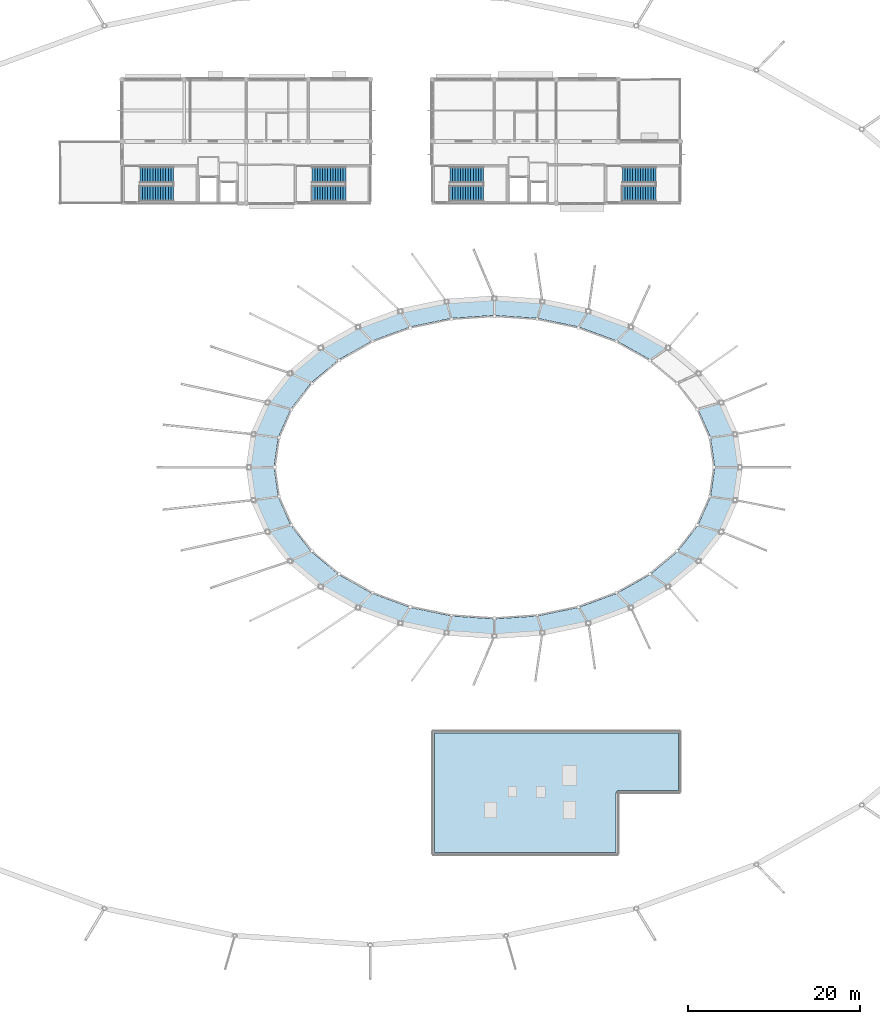
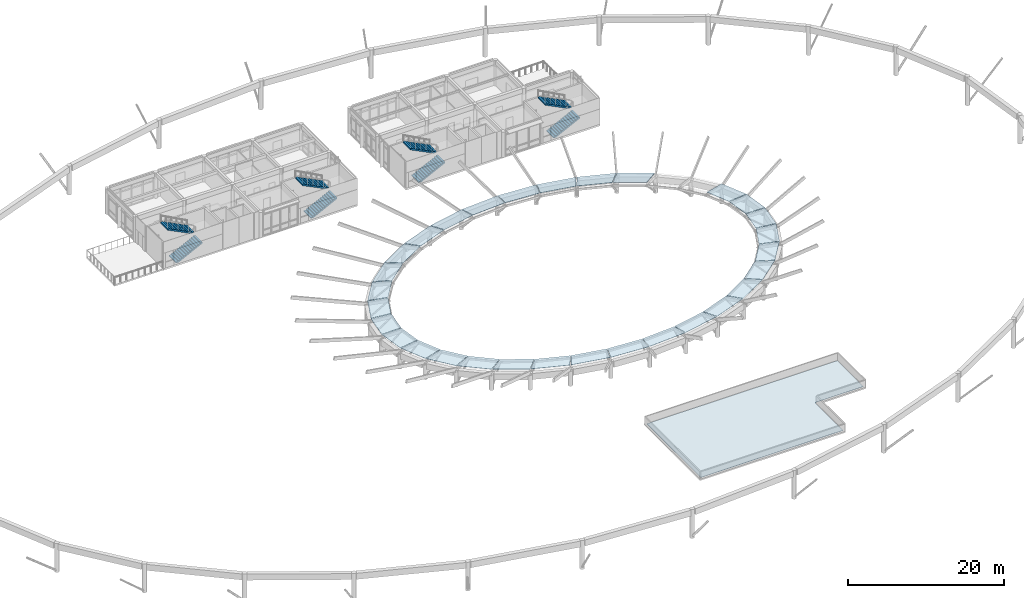
# One storey, part 26 of 37: 31 roofs, 8 stair flights, 4 elements without a shape of their own.
"""IFC4 building model written with IfcOpenShell, lengths in metres."""

from ifc_helpers import new_model, si_unit, direction, frame, origin, place, context, subcontext, project, spatial, polyline, outline, extrude, material, layer, layer_set, type_object, element, aggregate, save


model = new_model("IFC4")

# Units and contexts
model_context = context("Model", 3, precision=1e-05, world=origin(), true_north=direction((0.0, 1.0)))
body_context = subcontext(model_context, "Body", "Model", "MODEL_VIEW")
ifc_project = project(units=[si_unit("LENGTHUNIT", "METRE"), si_unit("AREAUNIT", "SQUARE_METRE"), si_unit("VOLUMEUNIT", "CUBIC_METRE"), si_unit("PLANEANGLEUNIT", "RADIAN"), si_unit("MASSUNIT", "GRAM", prefix="KILO")], contexts=[model_context])

# Site, building, storey
site_placement = place(None, origin())
site = spatial("IfcSite", under=ifc_project, at=site_placement, CompositionType="ELEMENT")
building_placement = place(site_placement, origin())
building = spatial("IfcBuilding", under=site, at=building_placement, Name="Namkhue Oval Health Centre", CompositionType="ELEMENT")
storey_placement = place(building_placement, frame((0.0, 0.0, 22.199951171875)))
storey = spatial("IfcBuildingStorey", under=building, at=storey_placement, Name="L05", CompositionType="ELEMENT", Elevation=22.199951171875)

# Stair, stair flights
ifc_material_1 = material(Name="Reinforced concrete C30/37 (TCVN B35)", Category="concrete")
stair_type = type_object("IfcStairType", Name="DOGLEG EXIT STAIR H4200", PredefinedType="HALF_TURN_STAIR", material=ifc_material_1)
stair_1_placement = place(storey_placement, origin())
stair_1 = element("IfcStair", 1, at=stair_1_placement, inside=storey, type_object=stair_type, Name="Protected Exit Stair ST-03 L05", PredefinedType="HALF_TURN_STAIR")
stair_flight_type = type_object("IfcStairFlightType", Name="STRAIGHT STAIR FLIGHT 1850", PredefinedType="STRAIGHT", material=ifc_material_1)
stair_flight_1_placement = place(storey_placement, frame((59.64990234375, 91.175048828125, 0.0), z_axis=(0.0, 0.0, 1.0), x_axis=(1.0, 0.0, 0.0)))
stair_flight_1 = element("IfcStairFlight", 2, at=stair_flight_1_placement, type_object=stair_flight_type, Name="ST-03 flight 1", NumberOfRisers=14, NumberOfTreads=13, PredefinedType="STRAIGHT", RiserHeight=0.15, TreadLength=0.3, context=body_context, shape_type="SweptSolid", body=[
    extrude(outline(polyline([(0.0, 0.0), (0.0, 0.14990234375), (0.300048828125, 0.14990234375), (0.300048828125, 0.300048828125), (0.60009765625, 0.300048828125), (0.60009765625, 0.449951171875), (0.89990234375, 0.449951171875), (0.89990234375, 0.60009765625), (1.199951171875, 0.60009765625), (1.199951171875, 0.75), (1.5, 0.75), (1.5, 0.89990234375), (1.800048828125, 0.89990234375), (1.800048828125, 1.050048828125), (2.10009765625, 1.050048828125), (2.10009765625, 1.199951171875), (2.39990234375, 1.199951171875), (2.39990234375, 1.35009765625), (2.699951171875, 1.35009765625), (2.699951171875, 1.5), (3.0, 1.5), (3.0, 1.64990234375), (3.300048828125, 1.64990234375), (3.300048828125, 1.800048828125), (3.60009765625, 1.800048828125), (3.60009765625, 1.949951171875), (3.89990234375, 1.949951171875), (3.89990234375, 2.10009765625), (3.89990234375, 1.748779296875), (0.40234375, 0.0), (0.0, 0.0)])), frame((0.0, 0.925048828125, 0.0), z_axis=(0.0, -1.0, 0.0), x_axis=(1.0, 0.0, 0.0)), (0.0, 0.0, 1.0), 1.85009765625),
])
stair_flight_2_placement = place(storey_placement, frame((63.550048828125, 93.324951171875, 2.10009765625), z_axis=(0.0, 0.0, 1.0), x_axis=(-1.0, 0.0, 0.0)))
stair_flight_2 = element("IfcStairFlight", 3, at=stair_flight_2_placement, type_object=stair_flight_type, Name="ST-03 flight 2", NumberOfRisers=14, NumberOfTreads=13, PredefinedType="STRAIGHT", RiserHeight=0.15, TreadLength=0.3, context=body_context, shape_type="SweptSolid", body=[
    extrude(outline(polyline([(0.0, 0.0), (0.0, 0.14990234375), (0.300048828125, 0.14990234375), (0.300048828125, 0.300048828125), (0.60009765625, 0.300048828125), (0.60009765625, 0.449951171875), (0.89990234375, 0.449951171875), (0.89990234375, 0.60009765625), (1.199951171875, 0.60009765625), (1.199951171875, 0.75), (1.5, 0.75), (1.5, 0.89990234375), (1.800048828125, 0.89990234375), (1.800048828125, 1.050048828125), (2.10009765625, 1.050048828125), (2.10009765625, 1.199951171875), (2.39990234375, 1.199951171875), (2.39990234375, 1.35009765625), (2.699951171875, 1.35009765625), (2.699951171875, 1.5), (3.0, 1.5), (3.0, 1.64990234375), (3.300048828125, 1.64990234375), (3.300048828125, 1.800048828125), (3.60009765625, 1.800048828125), (3.60009765625, 1.949951171875), (3.89990234375, 1.949951171875), (3.89990234375, 2.10009765625), (3.89990234375, 1.748779296875), (0.40234375, 0.0), (0.0, 0.0)])), frame((0.0, 0.925048828125, 0.0), z_axis=(0.0, -1.0, 0.0), x_axis=(1.0, 0.0, 0.0)), (0.0, 0.0, 1.0), 1.85009765625),
])
aggregate(stair_1, [stair_flight_1, stair_flight_2])

stair_2_placement = place(storey_placement, origin())
stair_2 = element("IfcStair", 4, at=stair_2_placement, inside=storey, type_object=stair_type, Name="Protected Exit Stair ST-04 L05", PredefinedType="HALF_TURN_STAIR")
stair_flight_3_placement = place(storey_placement, frame((79.64990234375, 91.175048828125, 0.0), z_axis=(0.0, 0.0, 1.0), x_axis=(1.0, 0.0, 0.0)))
stair_flight_3 = element("IfcStairFlight", 5, at=stair_flight_3_placement, type_object=stair_flight_type, Name="ST-04 flight 1", NumberOfRisers=14, NumberOfTreads=13, PredefinedType="STRAIGHT", RiserHeight=0.15, TreadLength=0.3, context=body_context, shape_type="SweptSolid", body=[
    extrude(outline(polyline([(0.0, 0.0), (0.0, 0.14990234375), (0.300048828125, 0.14990234375), (0.300048828125, 0.300048828125), (0.60009765625, 0.300048828125), (0.60009765625, 0.449951171875), (0.89990234375, 0.449951171875), (0.89990234375, 0.60009765625), (1.199951171875, 0.60009765625), (1.199951171875, 0.75), (1.5, 0.75), (1.5, 0.89990234375), (1.800048828125, 0.89990234375), (1.800048828125, 1.050048828125), (2.10009765625, 1.050048828125), (2.10009765625, 1.199951171875), (2.39990234375, 1.199951171875), (2.39990234375, 1.35009765625), (2.699951171875, 1.35009765625), (2.699951171875, 1.5), (3.0, 1.5), (3.0, 1.64990234375), (3.300048828125, 1.64990234375), (3.300048828125, 1.800048828125), (3.60009765625, 1.800048828125), (3.60009765625, 1.949951171875), (3.89990234375, 1.949951171875), (3.89990234375, 2.10009765625), (3.89990234375, 1.748779296875), (0.40234375, 0.0), (0.0, 0.0)])), frame((0.0, 0.925048828125, 0.0), z_axis=(0.0, -1.0, 0.0), x_axis=(1.0, 0.0, 0.0)), (0.0, 0.0, 1.0), 1.85009765625),
])
stair_flight_4_placement = place(storey_placement, frame((83.550048828125, 93.324951171875, 2.10009765625), z_axis=(0.0, 0.0, 1.0), x_axis=(-1.0, 0.0, 0.0)))
stair_flight_4 = element("IfcStairFlight", 6, at=stair_flight_4_placement, type_object=stair_flight_type, Name="ST-04 flight 2", NumberOfRisers=14, NumberOfTreads=13, PredefinedType="STRAIGHT", RiserHeight=0.15, TreadLength=0.3, context=body_context, shape_type="SweptSolid", body=[
    extrude(outline(polyline([(0.0, 0.0), (0.0, 0.14990234375), (0.300048828125, 0.14990234375), (0.300048828125, 0.300048828125), (0.60009765625, 0.300048828125), (0.60009765625, 0.449951171875), (0.89990234375, 0.449951171875), (0.89990234375, 0.60009765625), (1.199951171875, 0.60009765625), (1.199951171875, 0.75), (1.5, 0.75), (1.5, 0.89990234375), (1.800048828125, 0.89990234375), (1.800048828125, 1.050048828125), (2.10009765625, 1.050048828125), (2.10009765625, 1.199951171875), (2.39990234375, 1.199951171875), (2.39990234375, 1.35009765625), (2.699951171875, 1.35009765625), (2.699951171875, 1.5), (3.0, 1.5), (3.0, 1.64990234375), (3.300048828125, 1.64990234375), (3.300048828125, 1.800048828125), (3.60009765625, 1.800048828125), (3.60009765625, 1.949951171875), (3.89990234375, 1.949951171875), (3.89990234375, 2.10009765625), (3.89990234375, 1.748779296875), (0.40234375, 0.0), (0.0, 0.0)])), frame((0.0, 0.925048828125, 0.0), z_axis=(0.0, -1.0, 0.0), x_axis=(1.0, 0.0, 0.0)), (0.0, 0.0, 1.0), 1.85009765625),
])
aggregate(stair_2, [stair_flight_3, stair_flight_4])

stair_3_placement = place(storey_placement, origin())
stair_3 = element("IfcStair", 7, at=stair_3_placement, inside=storey, type_object=stair_type, Name="Protected Exit Stair ST-05 L05", PredefinedType="HALF_TURN_STAIR")
stair_flight_5_placement = place(storey_placement, frame((95.64990234375, 91.175048828125, 0.0), z_axis=(0.0, 0.0, 1.0), x_axis=(1.0, 0.0, 0.0)))
stair_flight_5 = element("IfcStairFlight", 8, at=stair_flight_5_placement, type_object=stair_flight_type, Name="ST-05 flight 1", NumberOfRisers=14, NumberOfTreads=13, PredefinedType="STRAIGHT", RiserHeight=0.15, TreadLength=0.3, context=body_context, shape_type="SweptSolid", body=[
    extrude(outline(polyline([(0.0, 0.0), (0.0, 0.14990234375), (0.300048828125, 0.14990234375), (0.300048828125, 0.300048828125), (0.60009765625, 0.300048828125), (0.60009765625, 0.449951171875), (0.89990234375, 0.449951171875), (0.89990234375, 0.60009765625), (1.199951171875, 0.60009765625), (1.199951171875, 0.75), (1.5, 0.75), (1.5, 0.89990234375), (1.800048828125, 0.89990234375), (1.800048828125, 1.050048828125), (2.10009765625, 1.050048828125), (2.10009765625, 1.199951171875), (2.39990234375, 1.199951171875), (2.39990234375, 1.35009765625), (2.699951171875, 1.35009765625), (2.699951171875, 1.5), (3.0, 1.5), (3.0, 1.64990234375), (3.300048828125, 1.64990234375), (3.300048828125, 1.800048828125), (3.60009765625, 1.800048828125), (3.60009765625, 1.949951171875), (3.89990234375, 1.949951171875), (3.89990234375, 2.10009765625), (3.89990234375, 1.748779296875), (0.40234375, 0.0), (0.0, 0.0)])), frame((0.0, 0.925048828125, 0.0), z_axis=(0.0, -1.0, 0.0), x_axis=(1.0, 0.0, 0.0)), (0.0, 0.0, 1.0), 1.85009765625),
])
stair_flight_6_placement = place(storey_placement, frame((99.550048828125, 93.324951171875, 2.10009765625), z_axis=(0.0, 0.0, 1.0), x_axis=(-1.0, 0.0, 0.0)))
stair_flight_6 = element("IfcStairFlight", 9, at=stair_flight_6_placement, type_object=stair_flight_type, Name="ST-05 flight 2", NumberOfRisers=14, NumberOfTreads=13, PredefinedType="STRAIGHT", RiserHeight=0.15, TreadLength=0.3, context=body_context, shape_type="SweptSolid", body=[
    extrude(outline(polyline([(0.0, 0.0), (0.0, 0.14990234375), (0.300048828125, 0.14990234375), (0.300048828125, 0.300048828125), (0.60009765625, 0.300048828125), (0.60009765625, 0.449951171875), (0.89990234375, 0.449951171875), (0.89990234375, 0.60009765625), (1.199951171875, 0.60009765625), (1.199951171875, 0.75), (1.5, 0.75), (1.5, 0.89990234375), (1.800048828125, 0.89990234375), (1.800048828125, 1.050048828125), (2.10009765625, 1.050048828125), (2.10009765625, 1.199951171875), (2.39990234375, 1.199951171875), (2.39990234375, 1.35009765625), (2.699951171875, 1.35009765625), (2.699951171875, 1.5), (3.0, 1.5), (3.0, 1.64990234375), (3.300048828125, 1.64990234375), (3.300048828125, 1.800048828125), (3.60009765625, 1.800048828125), (3.60009765625, 1.949951171875), (3.89990234375, 1.949951171875), (3.89990234375, 2.10009765625), (3.89990234375, 1.748779296875), (0.40234375, 0.0), (0.0, 0.0)])), frame((0.0, 0.925048828125, 0.0), z_axis=(0.0, -1.0, 0.0), x_axis=(1.0, 0.0, 0.0)), (0.0, 0.0, 1.0), 1.85009765625),
])
aggregate(stair_3, [stair_flight_5, stair_flight_6])

stair_4_placement = place(storey_placement, origin())
stair_4 = element("IfcStair", 10, at=stair_4_placement, inside=storey, type_object=stair_type, Name="Protected Exit Stair ST-06 L05", PredefinedType="HALF_TURN_STAIR")
stair_flight_7_placement = place(storey_placement, frame((115.64990234375, 91.175048828125, 0.0), z_axis=(0.0, 0.0, 1.0), x_axis=(1.0, 0.0, 0.0)))
stair_flight_7 = element("IfcStairFlight", 11, at=stair_flight_7_placement, type_object=stair_flight_type, Name="ST-06 flight 1", NumberOfRisers=14, NumberOfTreads=13, PredefinedType="STRAIGHT", RiserHeight=0.15, TreadLength=0.3, context=body_context, shape_type="SweptSolid", body=[
    extrude(outline(polyline([(0.0, 0.0), (0.0, 0.14990234375), (0.300048828125, 0.14990234375), (0.300048828125, 0.300048828125), (0.60009765625, 0.300048828125), (0.60009765625, 0.449951171875), (0.89990234375, 0.449951171875), (0.89990234375, 0.60009765625), (1.199951171875, 0.60009765625), (1.199951171875, 0.75), (1.5, 0.75), (1.5, 0.89990234375), (1.800048828125, 0.89990234375), (1.800048828125, 1.050048828125), (2.10009765625, 1.050048828125), (2.10009765625, 1.199951171875), (2.39990234375, 1.199951171875), (2.39990234375, 1.35009765625), (2.699951171875, 1.35009765625), (2.699951171875, 1.5), (3.0, 1.5), (3.0, 1.64990234375), (3.300048828125, 1.64990234375), (3.300048828125, 1.800048828125), (3.60009765625, 1.800048828125), (3.60009765625, 1.949951171875), (3.89990234375, 1.949951171875), (3.89990234375, 2.10009765625), (3.89990234375, 1.748779296875), (0.40234375, 0.0), (0.0, 0.0)])), frame((0.0, 0.925048828125, 0.0), z_axis=(0.0, -1.0, 0.0), x_axis=(1.0, 0.0, 0.0)), (0.0, 0.0, 1.0), 1.85009765625),
])
stair_flight_8_placement = place(storey_placement, frame((119.550048828125, 93.324951171875, 2.10009765625), z_axis=(0.0, 0.0, 1.0), x_axis=(-1.0, 0.0, 0.0)))
stair_flight_8 = element("IfcStairFlight", 12, at=stair_flight_8_placement, type_object=stair_flight_type, Name="ST-06 flight 2", NumberOfRisers=14, NumberOfTreads=13, PredefinedType="STRAIGHT", RiserHeight=0.15, TreadLength=0.3, context=body_context, shape_type="SweptSolid", body=[
    extrude(outline(polyline([(0.0, 0.0), (0.0, 0.14990234375), (0.300048828125, 0.14990234375), (0.300048828125, 0.300048828125), (0.60009765625, 0.300048828125), (0.60009765625, 0.449951171875), (0.89990234375, 0.449951171875), (0.89990234375, 0.60009765625), (1.199951171875, 0.60009765625), (1.199951171875, 0.75), (1.5, 0.75), (1.5, 0.89990234375), (1.800048828125, 0.89990234375), (1.800048828125, 1.050048828125), (2.10009765625, 1.050048828125), (2.10009765625, 1.199951171875), (2.39990234375, 1.199951171875), (2.39990234375, 1.35009765625), (2.699951171875, 1.35009765625), (2.699951171875, 1.5), (3.0, 1.5), (3.0, 1.64990234375), (3.300048828125, 1.64990234375), (3.300048828125, 1.800048828125), (3.60009765625, 1.800048828125), (3.60009765625, 1.949951171875), (3.89990234375, 1.949951171875), (3.89990234375, 2.10009765625), (3.89990234375, 1.748779296875), (0.40234375, 0.0), (0.0, 0.0)])), frame((0.0, 0.925048828125, 0.0), z_axis=(0.0, -1.0, 0.0), x_axis=(1.0, 0.0, 0.0)), (0.0, 0.0, 1.0), 1.85009765625),
])
aggregate(stair_4, [stair_flight_7, stair_flight_8])

# Roofs
ifc_material_2 = material(Name="Glulam timber GL28h", Category="wood")
ifc_layer_1 = layer(ifc_material_2, 0.0400390625)
ifc_layer_set_1 = layer_set([ifc_layer_1], Name="Glulam timber GL28h")
roof_type_1 = type_object("IfcRoofType", Name="ELLIPTICAL GRIDSHELL ROOF ASSEMBLY", PredefinedType="FREEFORM", material=ifc_layer_set_1)
roof_1_placement = place(storey_placement, frame((129.215087890625, 59.44189453125, 3.0732421875), z_axis=(0.013226915044, 0.001894905502, 0.999910725041), x_axis=(-0.141820619058, 0.989892373953, 9.6782e-08)))
element("IfcRoof", 13, at=roof_1_placement, inside=storey, type_object=roof_type_1, Name="Elliptical Gridshell Oculus Collar Sector 1", PredefinedType="FREEFORM", context=body_context, shape_type="SweptSolid", body=[
    extrude(outline(polyline([(0.0, 0.0), (3.766586877320979, 1.1102230246251565e-16), (3.7844325695074414, 2.813755825064358), (0.40309464403786166, 2.8138075984584368), (0.0, 0.0)])), origin(), (0.0, 0.0, -1.0), 0.0400390625),
])
roof_2_placement = place(storey_placement, frame((128.65380859375, 63.25146484375, 3.0732421875), z_axis=(0.012751836889, 0.005626725158, 0.999902860592), x_axis=(-0.403721470556, 0.914881945506, 4.01121e-07)))
element("IfcRoof", 14, at=roof_2_placement, inside=storey, type_object=roof_type_1, Name="Elliptical Gridshell Oculus Collar Sector 2", PredefinedType="FREEFORM", context=body_context, shape_type="SweptSolid", body=[
    extrude(outline(polyline([(0.0, 0.0), (3.91982994865097, -4.440892098500626e-16), (4.29477036195786, 2.697358653553296), (0.77478337421395, 2.6975727626050934), (0.0, 0.0)])), origin(), (0.0, 0.0, -1.0), 0.0400390625),
])
roof_3_placement = place(storey_placement, frame((120.837890625, 73.22705078125, 3.073486328125), z_axis=(0.008475067233, 0.015022258872, 0.999851241422), x_axis=(-0.870961896536, 0.491350562004, 2.65331e-07)))
element("IfcRoof", 15, at=roof_3_placement, inside=storey, type_object=roof_type_1, Name="Elliptical Gridshell Oculus Collar Sector 5", PredefinedType="FREEFORM", context=body_context, shape_type="SweptSolid", body=[
    extrude(outline(polyline([(0.0, 0.0), (4.850509971667216, 4.440892098500626e-16), (5.416946375768482, 2.151428732841524), (1.0521362248472361, 2.151570494448329), (0.0, 0.0)])), origin(), (0.0, 0.0, -1.0), 0.0400390625),
])
roof_4_placement = place(storey_placement, frame((116.528564453125, 75.643798828125, 3.07373046875), z_axis=(0.0062455114, 0.016996063447, 0.999836050268), x_axis=(-0.938631477904, 0.344921655868, -7.6765e-08)))
element("IfcRoof", 16, at=roof_4_placement, inside=storey, type_object=roof_type_1, Name="Elliptical Gridshell Oculus Collar Sector 6", PredefinedType="FREEFORM", context=body_context, shape_type="SweptSolid", body=[
    extrude(outline(polyline([(0.0, 0.0), (5.140150471499766, 0.0), (5.529033581039766, 2.0224779335755847), (0.9005204323502548, 2.022436519829792), (0.0, 0.0)])), origin(), (0.0, 0.0, -1.0), 0.0400390625),
])
roof_5_placement = place(storey_placement, frame((111.618408203125, 77.437255859375, 3.07373046875), z_axis=(0.003859840141, 0.018508904332, 0.999821245071), x_axis=(-0.978937138918, 0.204161891761, -2.72108e-07)))
element("IfcRoof", 17, at=roof_5_placement, inside=storey, type_object=roof_type_1, Name="Elliptical Gridshell Oculus Collar Sector 7", PredefinedType="FREEFORM", context=body_context, shape_type="SweptSolid", body=[
    extrude(outline(polyline([(0.0, 0.0), (5.352484741937321, 0.0), (5.500000561392979, 1.9369769681754718), (0.6777570883231027, 1.936830535220263), (0.0, 0.0)])), origin(), (0.0, 0.0, -1.0), 0.0400390625),
])
roof_6_placement = place(storey_placement, frame((106.2939453125, 78.539794921875, 3.07373046875), z_axis=(0.001305487135, 0.019284779512, 0.99981317904), x_axis=(-0.997715626796, 0.067553889952, -2.57006e-07)))
element("IfcRoof", 18, at=roof_6_placement, inside=storey, type_object=roof_type_1, Name="Elliptical Gridshell Oculus Collar Sector 8", PredefinedType="FREEFORM", context=body_context, shape_type="SweptSolid", body=[
    extrude(outline(polyline([(0.0, 0.0), (5.464386997944738, 0.0), (5.336123657929109, 1.8946982853636485), (0.41179805447432644, 1.8945601525062812), (0.0, 0.0)])), origin(), (0.0, 0.0, -1.0), 0.0400390625),
])
roof_7_placement = place(storey_placement, frame((100.758056640625, 78.908935546875, 3.07373046875), z_axis=(-0.001305462361, 0.019284867777, 0.99981317737), x_axis=(-0.997715626836, -0.06755388936, 2.8768e-07)))
element("IfcRoof", 19, at=roof_7_placement, inside=storey, type_object=roof_type_1, Name="Elliptical Gridshell Oculus Collar Sector 9", PredefinedType="FREEFORM", context=body_context, shape_type="SweptSolid", body=[
    extrude(outline(polyline([(0.0, 0.0), (5.464386997944692, 0.0), (5.05283252638707, 1.8945436629374628), (0.12826334001553816, 1.8946982853635232), (0.0, 0.0)])), origin(), (0.0, 0.0, -1.0), 0.0400390625),
])
roof_8_placement = place(storey_placement, frame((95.221435546875, 78.530029296875, 3.07373046875), z_axis=(-0.003859840141, 0.018508904332, 0.999821245071), x_axis=(-0.978937138918, -0.204161891761, 2.72108e-07)))
element("IfcRoof", 20, at=roof_8_placement, inside=storey, type_object=roof_type_1, Name="Elliptical Gridshell Oculus Collar Sector 10", PredefinedType="FREEFORM", context=body_context, shape_type="SweptSolid", body=[
    extrude(outline(polyline([(0.0, 0.0), (5.352484741937321, 0.0), (4.674727653614218, 1.9368305352202633), (-0.14751581945565914, 1.9369769681754718), (0.0, 0.0)])), origin(), (0.0, 0.0, -1.0), 0.0400390625),
])
roof_9_placement = place(storey_placement, frame((89.89599609375, 77.416748046875, 3.07373046875), z_axis=(-0.006245252059, 0.016995810219, 0.999836056192), x_axis=(-0.938631478879, -0.344921653216, 2.32821e-07)))
element("IfcRoof", 21, at=roof_9_placement, inside=storey, type_object=roof_type_1, Name="Elliptical Gridshell Oculus Collar Sector 11", PredefinedType="FREEFORM", context=body_context, shape_type="SweptSolid", body=[
    extrude(outline(polyline([(0.0, 0.0), (5.140150471499643, -2.220446049250313e-16), (4.239630039149614, 2.0224365198295766), (-0.3891122676158007, 2.022562129158965), (0.0, 0.0)])), origin(), (0.0, 0.0, -1.0), 0.0400390625),
])
roof_10_placement = place(storey_placement, frame((84.986572265625, 75.6103515625, 3.073486328125), z_axis=(-0.008475457552, 0.015022493749, 0.999851234585), x_axis=(-0.870949745791, -0.491372099642, -6.3314e-08)))
element("IfcRoof", 22, at=roof_10_placement, inside=storey, type_object=roof_type_1, Name="Elliptical Gridshell Oculus Collar Sector 12", PredefinedType="FREEFORM", context=body_context, shape_type="SweptSolid", body=[
    extrude(outline(polyline([(0.0, 0.0), (4.850297335968478, 0.0), (3.798426950862613, 2.1514765655410777), (-0.5663832022298283, 2.1514427393311464), (0.0, 0.0)])), origin(), (0.0, 0.0, -1.0), 0.0400390625),
])
roof_11_placement = place(storey_placement, frame((80.6826171875, 73.1796875, 3.073486328125), z_axis=(-0.010269692759, 0.012260105562, 0.999872103432), x_axis=(-0.766588779143, -0.642138336881, 5.2568e-08)))
element("IfcRoof", 23, at=roof_11_placement, inside=storey, type_object=roof_type_1, Name="Elliptical Gridshell Oculus Collar Sector 13", PredefinedType="FREEFORM", context=body_context, shape_type="SweptSolid", body=[
    extrude(outline(polyline([(0.0, 0.0), (4.517909735858683, 0.0), (3.417307137189499, 2.3203365530969404), (-0.6451573638650602, 2.3203647560579364), (0.0, 0.0)])), origin(), (0.0, 0.0, -1.0), 0.0400390625),
])
roof_12_placement = place(storey_placement, frame((77.150634765625, 70.217529296875, 3.073486328125), z_axis=(-0.011652569751, 0.00905953543, 0.999891065285), x_axis=(-0.613795338685, -0.789465187458, -1.05172e-07)))
element("IfcRoof", 24, at=roof_12_placement, inside=storey, type_object=roof_type_1, Name="Elliptical Gridshell Oculus Collar Sector 14", PredefinedType="FREEFORM", context=body_context, shape_type="SweptSolid", body=[
    extrude(outline(polyline([(0.0, 0.0), (4.188765789993723, 0.0), (3.1749587728512867, 2.5142081290106115), (-0.5894745309193722, 2.5141514585137728), (0.0, 0.0)])), origin(), (0.0, 0.0, -1.0), 0.0400390625),
])
roof_13_placement = place(storey_placement, frame((74.528564453125, 66.837646484375, 3.0732421875), z_axis=(-0.012751836889, 0.005626725158, 0.999902860592), x_axis=(-0.403669346891, -0.914904944997, 3.93041e-07)))
element("IfcRoof", 25, at=roof_13_placement, inside=storey, type_object=roof_type_1, Name="Elliptical Gridshell Oculus Collar Sector 15", PredefinedType="FREEFORM", context=body_context, shape_type="SweptSolid", body=[
    extrude(outline(polyline([(0.0, 0.0), (3.9197313902014943, -2.220446049250313e-16), (3.14520027142435, 2.6973935600054926), (-0.3748852748919015, 2.697603356268777), (0.0, 0.0)])), origin(), (0.0, 0.0, -1.0), 0.0400390625),
])
roof_14_placement = place(storey_placement, frame((72.9189453125, 63.17041015625, 3.0732421875), z_axis=(-0.013227513667, 0.001894534857, 0.999910717824), x_axis=(-0.141757109759, -0.98990147077, 3.08762e-07)))
element("IfcRoof", 26, at=roof_14_placement, inside=storey, type_object=roof_type_1, Name="Elliptical Gridshell Oculus Collar Sector 16", PredefinedType="FREEFORM", context=body_context, shape_type="SweptSolid", body=[
    extrude(outline(polyline([(0.0, 0.0), (3.7665522608991493, -1.1102230246251565e-16), (3.363672752317656, 2.813591800495242), (-0.01766516951434177, 2.813756964202493), (0.0, 0.0)])), origin(), (0.0, 0.0, -1.0), 0.0400390625),
])
roof_15_placement = place(storey_placement, frame((72.385009765625, 59.35791015625, 3.0732421875), z_axis=(-0.01322759064, -0.001894611254, 0.999910716661), x_axis=(0.1417662052, -0.989900168231, -2.50692e-07)))
element("IfcRoof", 27, at=roof_15_placement, inside=storey, type_object=roof_type_1, Name="Elliptical Gridshell Oculus Collar Sector 17", PredefinedType="FREEFORM", context=body_context, shape_type="SweptSolid", body=[
    extrude(outline(polyline([(0.0, 0.0), (3.7663105858943156, 1.1102230246251565e-16), (3.7842432835882884, 2.8137221939737134), (0.402905360381398, 2.813588098642962), (0.0, 0.0)])), origin(), (0.0, 0.0, -1.0), 0.0400390625),
])
roof_16_placement = place(storey_placement, frame((72.9462890625, 55.548583984375, 3.0732421875), z_axis=(-0.012751836889, -0.005626725158, 0.999902860592), x_axis=(0.403669346891, -0.914904944997, -3.93041e-07)))
element("IfcRoof", 28, at=roof_16_placement, inside=storey, type_object=roof_type_1, Name="Elliptical Gridshell Oculus Collar Sector 18", PredefinedType="FREEFORM", context=body_context, shape_type="SweptSolid", body=[
    extrude(outline(polyline([(0.0, 0.0), (3.9197313902014943, 2.220446049250313e-16), (4.294616665093396, 2.697603356268777), (0.7745311187771443, 2.6973935600054926), (0.0, 0.0)])), origin(), (0.0, 0.0, -1.0), 0.0400390625),
])
roof_17_placement = place(storey_placement, frame((74.57958984375, 51.889404296875, 3.073486328125), z_axis=(-0.011652569751, -0.00905953543, 0.999891065285), x_axis=(0.613767102763, -0.789487139582, -4.22782e-07)))
element("IfcRoof", 29, at=roof_17_placement, inside=storey, type_object=roof_type_1, Name="Elliptical Gridshell Oculus Collar Sector 19", PredefinedType="FREEFORM", context=body_context, shape_type="SweptSolid", body=[
    extrude(outline(polyline([(0.0, 0.0), (4.18895853319777, 0.0), (4.77815038845501, 2.5143223711477125), (1.013909830949161, 2.514094561395378), (0.0, 0.0)])), origin(), (0.0, 0.0, -1.0), 0.0400390625),
])
roof_18_placement = place(storey_placement, frame((77.21923828125, 48.521484375, 3.073486328125), z_axis=(-0.010270059064, -0.012259456416, 0.999872107629), x_axis=(0.766562178317, -0.642170091778, -1.7406e-08)))
element("IfcRoof", 30, at=roof_18_placement, inside=storey, type_object=roof_type_1, Name="Elliptical Gridshell Oculus Collar Sector 20", PredefinedType="FREEFORM", context=body_context, shape_type="SweptSolid", body=[
    extrude(outline(polyline([(0.0, 0.0), (4.518066511790093, 0.0), (5.163127769079355, 2.3203914755164847), (1.100506492871073, 2.3203821364128387), (0.0, 0.0)])), origin(), (0.0, 0.0, -1.0), 0.0400390625),
])
roof_19_placement = place(storey_placement, frame((80.76220703125, 45.572998046875, 3.073486328125), z_axis=(-0.008476149432, -0.015022910094, 0.999851222464), x_axis=(0.870949742417, -0.491372105622, 4.61268e-07)))
element("IfcRoof", 31, at=roof_19_placement, inside=storey, type_object=roof_type_1, Name="Elliptical Gridshell Oculus Collar Sector 21", PredefinedType="FREEFORM", context=body_context, shape_type="SweptSolid", body=[
    extrude(outline(polyline([(0.0, 0.0), (4.850297335967972, 0.0), (5.416800502090155, 2.151230136750639), (1.0518703851049618, 2.151476565540377), (0.0, 0.0)])), origin(), (0.0, 0.0, -1.0), 0.0400390625),
])
roof_20_placement = place(storey_placement, frame((85.0712890625, 43.15625, 3.07373046875), z_axis=(-0.006245252059, -0.016995810219, 0.999836056192), x_axis=(0.938631478879, -0.344921653216, -2.32821e-07)))
element("IfcRoof", 32, at=roof_20_placement, inside=storey, type_object=roof_type_1, Name="Elliptical Gridshell Oculus Collar Sector 22", PredefinedType="FREEFORM", context=body_context, shape_type="SweptSolid", body=[
    extrude(outline(polyline([(0.0, 0.0), (5.140150471499643, 2.220446049250313e-16), (5.529262739115443, 2.0225621291589655), (0.900520432350028, 2.0224365198295766), (0.0, 0.0)])), origin(), (0.0, 0.0, -1.0), 0.0400390625),
])
roof_21_placement = place(storey_placement, frame((89.981689453125, 41.36279296875, 3.07373046875), z_axis=(-0.003860493721, -0.018509862831, 0.999821224803), x_axis=(0.978937137203, -0.204161899982, 1.71938e-07)))
element("IfcRoof", 33, at=roof_21_placement, inside=storey, type_object=roof_type_1, Name="Elliptical Gridshell Oculus Collar Sector 23", PredefinedType="FREEFORM", context=body_context, shape_type="SweptSolid", body=[
    extrude(outline(polyline([(0.0, 0.0), (5.35248474193744, 2.220446049250313e-16), (5.500050405605943, 1.9367380125750526), (0.6777570883233258, 1.9368305352205142), (0.0, 0.0)])), origin(), (0.0, 0.0, -1.0), 0.0400390625),
])
roof_22_placement = place(storey_placement, frame((95.30615234375, 40.26025390625, 3.07373046875), z_axis=(-0.001305996168, -0.019286042891, 0.999813154006), x_axis=(0.997715626244, -0.0675538981, 1.65439e-07)))
element("IfcRoof", 34, at=roof_22_placement, inside=storey, type_object=roof_type_1, Name="Elliptical Gridshell Oculus Collar Sector 24", PredefinedType="FREEFORM", context=body_context, shape_type="SweptSolid", body=[
    extrude(outline(polyline([(0.0, 0.0), (5.464386997944844, 5.551115123125783e-17), (5.33614015057913, 1.8944547479561593), (0.41155447155791364, 1.894543662937836), (0.0, 0.0)])), origin(), (0.0, 0.0, -1.0), 0.0400390625),
])
roof_23_placement = place(storey_placement, frame((100.842041015625, 39.89111328125, 3.07373046875), z_axis=(0.00130602095, -0.019285954585, 0.999813155677), x_axis=(0.997715626204, 0.067553898692, -1.96124e-07)))
element("IfcRoof", 35, at=roof_23_placement, inside=storey, type_object=roof_type_1, Name="Elliptical Gridshell Oculus Collar Sector 25", PredefinedType="FREEFORM", context=body_context, shape_type="SweptSolid", body=[
    extrude(outline(polyline([(0.0, 0.0), (5.464386997944813, 0.0), (5.052588943470343, 1.8945601525064675), (0.12824684736565325, 1.894454747956076), (0.0, 0.0)])), origin(), (0.0, 0.0, -1.0), 0.0400390625),
])
roof_24_placement = place(storey_placement, frame((106.378662109375, 40.27001953125, 3.07373046875), z_axis=(0.003860493721, -0.018509862831, 0.999821224803), x_axis=(0.978937137203, 0.204161899982, -1.71938e-07)))
element("IfcRoof", 36, at=roof_24_placement, inside=storey, type_object=roof_type_1, Name="Elliptical Gridshell Oculus Collar Sector 26", PredefinedType="FREEFORM", context=body_context, shape_type="SweptSolid", body=[
    extrude(outline(polyline([(0.0, 0.0), (5.35248474193744, -2.220446049250313e-16), (4.674727653614115, 1.9368305352205142), (-0.14756566366850335, 1.9367380125750524), (0.0, 0.0)])), origin(), (0.0, 0.0, -1.0), 0.0400390625),
])
roof_25_placement = place(storey_placement, frame((111.703857421875, 41.38330078125, 3.07373046875), z_axis=(0.0062455114, -0.016996063447, 0.999836050268), x_axis=(0.938631477904, 0.344921655868, 7.6765e-08)))
element("IfcRoof", 37, at=roof_25_placement, inside=storey, type_object=roof_type_1, Name="Elliptical Gridshell Oculus Collar Sector 27", PredefinedType="FREEFORM", context=body_context, shape_type="SweptSolid", body=[
    extrude(outline(polyline([(0.0, 0.0), (5.140150471499766, 0.0), (4.239630039149512, 2.022436519829792), (-0.38888310953999977, 2.0224779335755847), (0.0, 0.0)])), origin(), (0.0, 0.0, -1.0), 0.0400390625),
])
roof_26_placement = place(storey_placement, frame((116.61328125, 43.189697265625, 3.073486328125), z_axis=(0.00847575907, -0.01502267519, 0.999851229303), x_axis=(0.870961893163, 0.491350567984, -6.63277e-07)))
element("IfcRoof", 38, at=roof_26_placement, inside=storey, type_object=roof_type_1, Name="Elliptical Gridshell Oculus Collar Sector 28", PredefinedType="FREEFORM", context=body_context, shape_type="SweptSolid", body=[
    extrude(outline(polyline([(0.0, 0.0), (4.85050997166632, -4.440892098500626e-16), (3.798373746820682, 2.1515704944470895), (-0.5665563627354933, 2.1512161272938637), (0.0, 0.0)])), origin(), (0.0, 0.0, -1.0), 0.0400390625),
])
roof_27_placement = place(storey_placement, frame((120.91748046875, 45.6201171875, 3.073486328125), z_axis=(0.010270559421, -0.012259598643, 0.999872100746), x_axis=(0.766539895917, 0.642196689471, 2.80149e-07)))
element("IfcRoof", 39, at=roof_27_placement, inside=storey, type_object=roof_type_1, Name="Elliptical Gridshell Oculus Collar Sector 29", PredefinedType="FREEFORM", context=body_context, shape_type="SweptSolid", body=[
    extrude(outline(polyline([(0.0, 0.0), (4.517879365540937, -4.440892098500626e-16), (3.41764052864789, 2.320263553745771), (-0.6449807447906016, 2.3204138562232677), (0.0, 0.0)])), origin(), (0.0, 0.0, -1.0), 0.0400390625),
])
roof_28_placement = place(storey_placement, frame((124.449462890625, 48.582275390625, 3.073486328125), z_axis=(0.01165225268, -0.009058835838, 0.999891075318), x_axis=(0.613767098594, 0.789487142823, 6.5111e-08)))
element("IfcRoof", 40, at=roof_28_placement, inside=storey, type_object=roof_type_1, Name="Elliptical Gridshell Oculus Collar Sector 30", PredefinedType="FREEFORM", context=body_context, shape_type="SweptSolid", body=[
    extrude(outline(polyline([(0.0, 0.0), (4.188958533198136, 0.0), (3.174898856765462, 2.514287286283723), (-0.5891918552564576, 2.514322371148505), (0.0, 0.0)])), origin(), (0.0, 0.0, -1.0), 0.0400390625),
])
roof_29_placement = place(storey_placement, frame((127.0712890625, 51.96240234375, 3.0732421875), z_axis=(0.012751836889, -0.005626725158, 0.999902860592), x_axis=(0.403721470556, 0.914881945506, -4.01121e-07)))
element("IfcRoof", 41, at=roof_29_placement, inside=storey, type_object=roof_type_1, Name="Elliptical Gridshell Oculus Collar Sector 31", PredefinedType="FREEFORM", context=body_context, shape_type="SweptSolid", body=[
    extrude(outline(polyline([(0.0, 0.0), (3.91982994865097, 4.440892098500626e-16), (3.14504657443702, 2.697572762605094), (-0.37494041330688965, 2.6973586535532963), (0.0, 0.0)])), origin(), (0.0, 0.0, -1.0), 0.0400390625),
])
roof_30_placement = place(storey_placement, frame((128.680908203125, 55.629638671875, 3.0732421875), z_axis=(0.013226992029, -0.001894981916, 0.999910723878), x_axis=(0.141829718407, 0.989891070258, -1.54892e-07)))
element("IfcRoof", 42, at=roof_30_placement, inside=storey, type_object=roof_type_1, Name="Elliptical Gridshell Oculus Collar Sector 32", PredefinedType="FREEFORM", context=body_context, shape_type="SweptSolid", body=[
    extrude(outline(polyline([(0.0, 0.0), (3.7663452045372874, -1.1102230246251565e-16), (3.363224695370443, 2.8138038930037945), (-0.01811322948033631, 2.8137210375986417), (0.0, 0.0)])), origin(), (0.0, 0.0, -1.0), 0.0400390625),
])
ifc_material_3 = material(Name="Standing-seam aluminium-zinc insulated roofing", Category="aluminium")
ifc_layer_2 = layer(ifc_material_3, 0.0400390625)
ifc_layer_set_2 = layer_set([ifc_layer_2], Name="Standing-seam aluminium-zinc insulated roofing")
roof_type_2 = type_object("IfcRoofType", Name="WING INSULATED FLAT ROOF ASSEMBLY", PredefinedType="FLAT_ROOF", material=ifc_layer_set_2)
roof_31_placement = place(storey_placement, frame((0.0, 0.0, 0.219970703125)))
element("IfcRoof", 43, at=roof_31_placement, inside=storey, type_object=roof_type_2, Name="Volume V5 L05 Insulated Flat Roof Assembly 1", PredefinedType="FLAT_ROOF", context=body_context, shape_type="SweptSolid", body=[
    extrude(outline(polyline([(93.860107421875, 14.659912109375), (93.860107421875, 28.5400390625), (122.139892578125, 28.5400390625), (122.139892578125, 21.860107421875), (115.199951171875, 21.860107421875), (115.174560546875, 21.858642578125), (115.1494140625, 21.85498046875), (115.12451171875, 21.848876953125), (115.1005859375, 21.840087890625), (115.077392578125, 21.829345703125), (115.0556640625, 21.816162109375), (115.03515625, 21.801025390625), (115.01611328125, 21.78369140625), (114.9990234375, 21.764892578125), (114.98388671875, 21.744384765625), (114.970703125, 21.72265625), (114.959716796875, 21.699462890625), (114.951171875, 21.675537109375), (114.945068359375, 21.650634765625), (114.94140625, 21.62548828125), (114.93994140625, 21.60009765625), (114.93994140625, 14.659912109375), (93.860107421875, 14.659912109375)])), origin(), (0.0, 0.0, 1.0), 0.0400390625),
])

save(model, "model.ifc")
